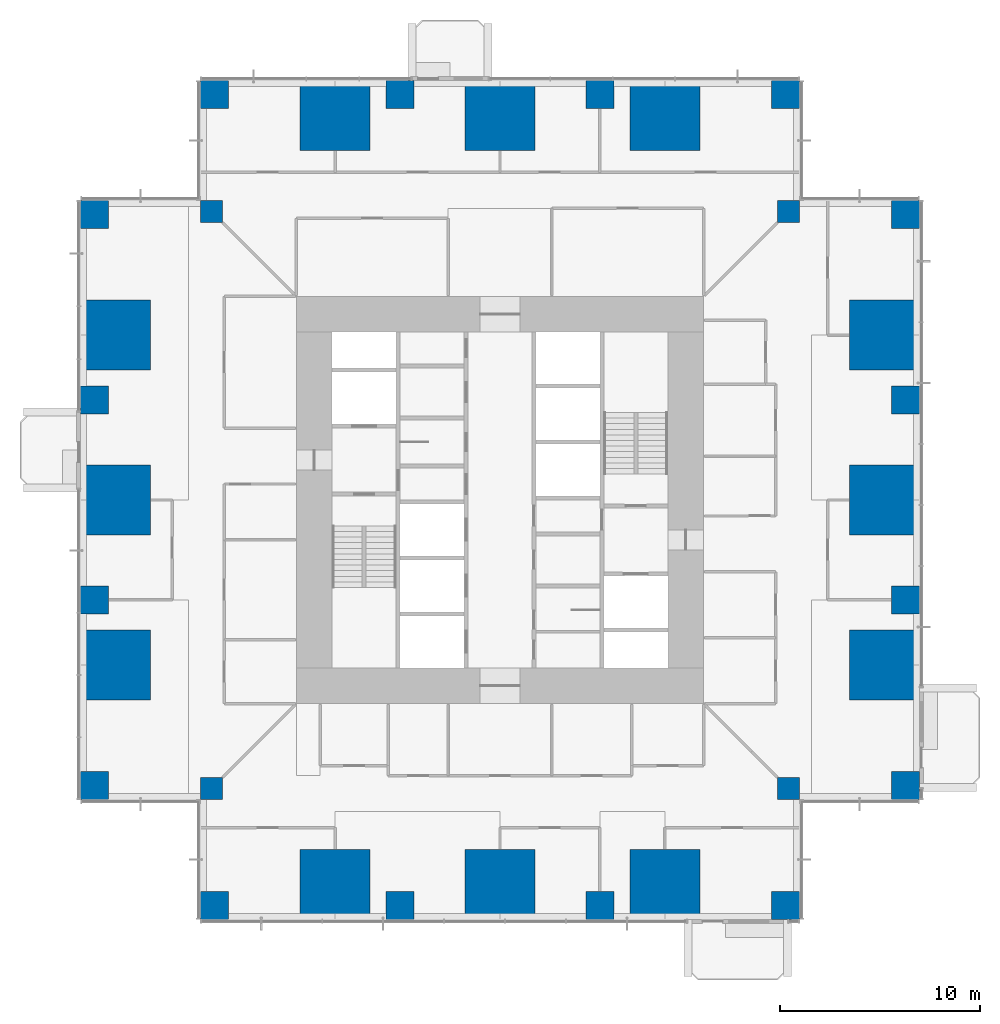
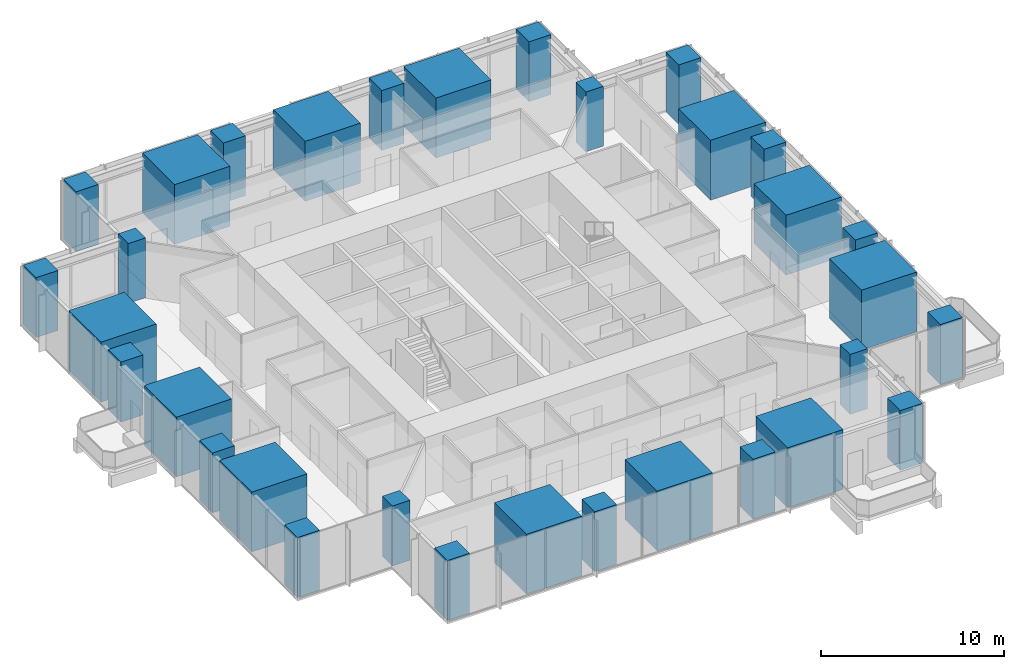
# One storey, part 1 of 16: 32 columns.
"""IFC4 building model written with IfcOpenShell, lengths in metres."""

from ifc_helpers import new_model, si_unit, direction, frame, origin, origin_2d, place, context, subcontext, project, spatial, rectangle, extrude, material, material_profile, profile_set, type_object, element, save


model = new_model("IFC4")

# Units and contexts
model_context = context("Model", 3, precision=1e-05, world=origin(), true_north=direction((0.0, 1.0)))
body_context = subcontext(model_context, "Body", "Model", "MODEL_VIEW")
ifc_project = project(units=[si_unit("LENGTHUNIT", "METRE"), si_unit("AREAUNIT", "SQUARE_METRE"), si_unit("VOLUMEUNIT", "CUBIC_METRE"), si_unit("PLANEANGLEUNIT", "RADIAN"), si_unit("MASSUNIT", "GRAM", prefix="KILO")], contexts=[model_context])

# Site, building, storey
site_placement = place(None, origin())
site = spatial("IfcSite", under=ifc_project, at=site_placement, CompositionType="ELEMENT")
building_placement = place(site_placement, origin())
building = spatial("IfcBuilding", under=site, at=building_placement, Name="Svetlomir Tower", CompositionType="ELEMENT")
storey_placement = place(building_placement, frame((0.0, 0.0, 50.5)))
storey = spatial("IfcBuildingStorey", under=building, at=storey_placement, Name="L11", CompositionType="ELEMENT", Elevation=50.5)

# Columns
ifc_material_1 = material(Name="Concrete C60/75", Category="concrete")
ifc_material_profile_1 = material_profile(ifc_material_1, rectangle(XDim=1.10009765625, YDim=1.10009765625, at=origin_2d()), Name="RC 1100x1100")
ifc_profile_set_1 = profile_set([ifc_material_profile_1], Name="Concrete C60/75")
column_type_1 = type_object("IfcColumnType", Name="COLUMN RC 1100x1100", PredefinedType="COLUMN", material=ifc_profile_set_1)
for number, where, z_axis, x_axis, name in (
    (1, (6.550048828125, 6.550048828125, 0.0), (0.0, 0.0, 1.0), (1.0, 0.0, 0.0), "Column 6/6 L11"),
    (2, (35.449951171875, 6.550048828125, 0.0), (0.0, 0.0, 1.0), (1.0, 0.0, 0.0), "Column 36/6 L11"),
    (3, (6.550048828125, 35.449951171875, 0.0), (0.0, 0.0, 1.0), (1.0, 0.0, 0.0), "Column 6/36 L11"),
    (4, (35.449951171875, 35.449951171875, 0.0), (0.0, 0.0, 1.0), (1.0, 0.0, 0.0), "Column 36/36 L11"),
):
    element("IfcColumn", number, at=place(storey_placement, frame(where, z_axis=z_axis, x_axis=x_axis)), inside=storey, type_object=column_type_1, Name=name, PredefinedType="COLUMN", context=body_context, shape_type="SweptSolid", body=[
        extrude(rectangle(XDim=1.10009765625, YDim=1.10009765625, at=origin_2d()), origin(), (0.0, 0.0, 1.0), 4.0),
    ])
ifc_material_2 = material(Name="Concrete C60/75", Category="concrete")
ifc_material_profile_2 = material_profile(ifc_material_2, rectangle(XDim=1.39990234375, YDim=1.39990234375, at=origin_2d()), Name="RC 1400x1400")
ifc_profile_set_2 = profile_set([ifc_material_profile_2], Name="Concrete C60/75")
column_type_2 = type_object("IfcColumnType", Name="COLUMN RC 1400x1400", PredefinedType="COLUMN", material=ifc_profile_set_2)
for number, where, z_axis, x_axis, name in (
    (5, (6.699951171875, 0.699951171875, 0.0), (0.0, 0.0, 1.0), (1.0, 0.0, 0.0), "Column 6/0 L11"),
    (6, (16.0, 0.699951171875, 0.0), (0.0, 0.0, 1.0), (1.0, 0.0, 0.0), "Column 16/0 L11"),
    (7, (26.0, 0.699951171875, 0.0), (0.0, 0.0, 1.0), (1.0, 0.0, 0.0), "Column 26/0 L11"),
    (8, (35.300048828125, 0.699951171875, 0.0), (0.0, 0.0, 1.0), (1.0, 0.0, 0.0), "Column 36/0 L11"),
    (9, (0.699951171875, 6.699951171875, 0.0), (0.0, 0.0, 1.0), (1.0, 0.0, 0.0), "Column 0/6 L11"),
    (10, (41.300048828125, 6.699951171875, 0.0), (0.0, 0.0, 1.0), (1.0, 0.0, 0.0), "Column 42/6 L11"),
    (11, (0.699951171875, 16.0, 0.0), (0.0, 0.0, 1.0), (1.0, 0.0, 0.0), "Column 0/16 L11"),
    (12, (41.300048828125, 16.0, 0.0), (0.0, 0.0, 1.0), (1.0, 0.0, 0.0), "Column 42/16 L11"),
    (13, (0.699951171875, 26.0, 0.0), (0.0, 0.0, 1.0), (1.0, 0.0, 0.0), "Column 0/26 L11"),
    (14, (41.300048828125, 26.0, 0.0), (0.0, 0.0, 1.0), (1.0, 0.0, 0.0), "Column 42/26 L11"),
    (15, (0.699951171875, 35.300048828125, 0.0), (0.0, 0.0, 1.0), (1.0, 0.0, 0.0), "Column 0/36 L11"),
    (16, (41.300048828125, 35.300048828125, 0.0), (0.0, 0.0, 1.0), (1.0, 0.0, 0.0), "Column 42/36 L11"),
    (17, (6.699951171875, 41.300048828125, 0.0), (0.0, 0.0, 1.0), (1.0, 0.0, 0.0), "Column 6/42 L11"),
    (18, (16.0, 41.300048828125, 0.0), (0.0, 0.0, 1.0), (1.0, 0.0, 0.0), "Column 16/42 L11"),
    (19, (26.0, 41.300048828125, 0.0), (0.0, 0.0, 1.0), (1.0, 0.0, 0.0), "Column 26/42 L11"),
    (20, (35.300048828125, 41.300048828125, 0.0), (0.0, 0.0, 1.0), (1.0, 0.0, 0.0), "Column 36/42 L11"),
):
    element("IfcColumn", number, at=place(storey_placement, frame(where, z_axis=z_axis, x_axis=x_axis)), inside=storey, type_object=column_type_2, Name=name, PredefinedType="COLUMN", context=body_context, shape_type="SweptSolid", body=[
        extrude(rectangle(XDim=1.39990234375, YDim=1.39990234375, at=origin_2d()), origin(), (0.0, 0.0, 1.0), 4.0),
    ])
ifc_material_3 = material(Name="Concrete C60/75", Category="concrete")
ifc_material_profile_3 = material_profile(ifc_material_3, rectangle(XDim=3.5, YDim=3.5, at=origin_2d()), Name="RC 3500x3500")
ifc_profile_set_3 = profile_set([ifc_material_profile_3], Name="Concrete C60/75")
column_type_3 = type_object("IfcColumnType", Name="COLUMN RC 3500x3500", PredefinedType="COLUMN", material=ifc_profile_set_3)
for number, where, z_axis, x_axis, name in (
    (21, (12.75, 1.75, 0.0), (0.0, 0.0, 1.0), (1.0, 0.0, 0.0), "Column 11/0 L11"),
    (22, (21.0, 1.75, 0.0), (0.0, 0.0, 1.0), (1.0, 0.0, 0.0), "Column 21/0 L11"),
    (23, (29.25, 1.75, 0.0), (0.0, 0.0, 1.0), (1.0, 0.0, 0.0), "Column 31/0 L11"),
    (24, (1.75, 12.75, 0.0), (0.0, 0.0, 1.0), (1.0, 0.0, 0.0), "Column 0/11 L11"),
    (25, (40.25, 12.75, 0.0), (0.0, 0.0, 1.0), (1.0, 0.0, 0.0), "Column 42/11 L11"),
    (26, (1.75, 21.0, 0.0), (0.0, 0.0, 1.0), (1.0, 0.0, 0.0), "Column 0/21 L11"),
    (27, (40.25, 21.0, 0.0), (0.0, 0.0, 1.0), (1.0, 0.0, 0.0), "Column 42/21 L11"),
    (28, (1.75, 29.25, 0.0), (0.0, 0.0, 1.0), (1.0, 0.0, 0.0), "Column 0/31 L11"),
    (29, (40.25, 29.25, 0.0), (0.0, 0.0, 1.0), (1.0, 0.0, 0.0), "Column 42/31 L11"),
    (30, (12.75, 40.25, 0.0), (0.0, 0.0, 1.0), (1.0, 0.0, 0.0), "Column 11/42 L11"),
    (31, (21.0, 40.25, 0.0), (0.0, 0.0, 1.0), (1.0, 0.0, 0.0), "Column 21/42 L11"),
    (32, (29.25, 40.25, 0.0), (0.0, 0.0, 1.0), (1.0, 0.0, 0.0), "Column 31/42 L11"),
):
    element("IfcColumn", number, at=place(storey_placement, frame(where, z_axis=z_axis, x_axis=x_axis)), inside=storey, type_object=column_type_3, Name=name, PredefinedType="COLUMN", context=body_context, shape_type="SweptSolid", body=[
        extrude(rectangle(XDim=3.5, YDim=3.5, at=origin_2d()), origin(), (0.0, 0.0, 1.0), 4.0),
    ])

save(model, "model.ifc")
